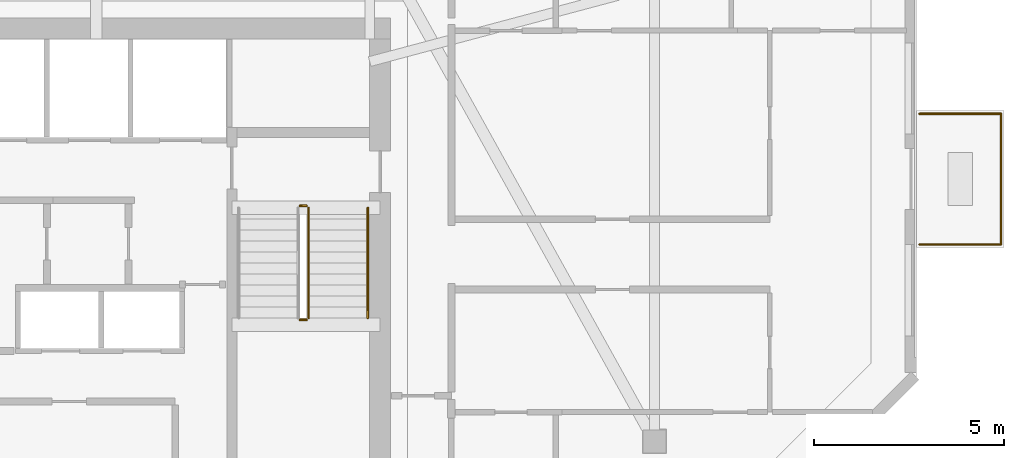
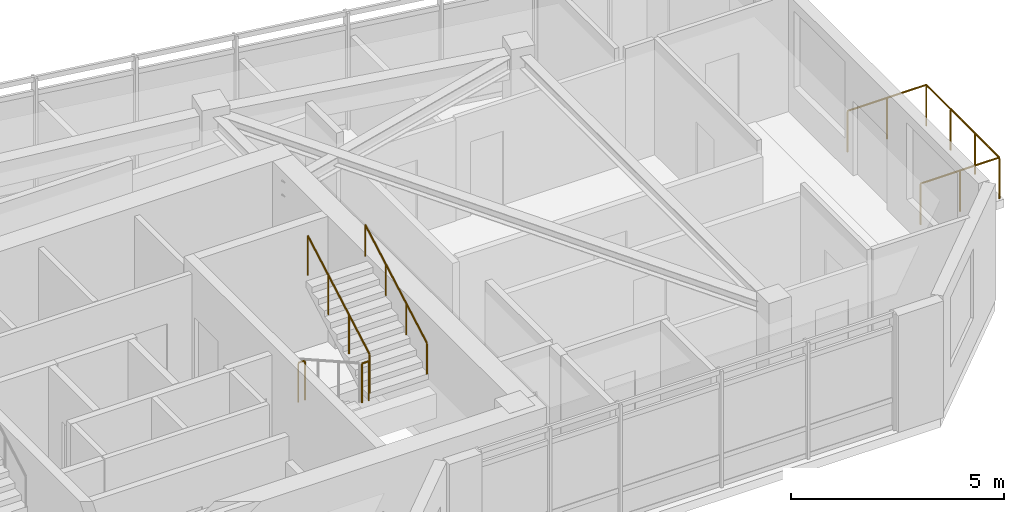
# One storey, part 10 of 10: 7 railings.
"""IFC4 building model written with IfcOpenShell, lengths in metres."""

from ifc_helpers import new_model, si_unit, direction, frame, origin, origin_2d, place, context, subcontext, project, spatial, circle, extrude, material, type_object, element, save


model = new_model("IFC4")

# Units and contexts
model_context = context("Model", 3, precision=1e-05, world=origin(), true_north=direction((0.0, 1.0)))
body_context = subcontext(model_context, "Body", "Model", "MODEL_VIEW")
ifc_project = project(units=[si_unit("LENGTHUNIT", "METRE"), si_unit("AREAUNIT", "SQUARE_METRE"), si_unit("VOLUMEUNIT", "CUBIC_METRE"), si_unit("PLANEANGLEUNIT", "RADIAN"), si_unit("MASSUNIT", "GRAM", prefix="KILO")], contexts=[model_context])

# Site, building, storey
site_placement = place(None, origin())
site = spatial("IfcSite", under=ifc_project, at=site_placement, CompositionType="ELEMENT")
building_placement = place(site_placement, origin())
building = spatial("IfcBuilding", under=site, at=building_placement, Name="Calvemar Wedge Station Tower", CompositionType="ELEMENT")
storey_placement = place(building_placement, frame((0.0, 0.0, 267.300048828125)))
storey = spatial("IfcBuildingStorey", under=building, at=storey_placement, Name="L68", CompositionType="ELEMENT", Elevation=267.300048828125)

# Railings
ifc_material_1 = material(Name="Stainless steel AISI 316L", Category="steel")
railing_type_1 = type_object("IfcRailingType", Name="GRD-TERR-1200", PredefinedType="GUARDRAIL", material=ifc_material_1)
railing_1_placement = place(storey_placement, frame((45.47998046875, 43.6259765625, 0.0)))
element("IfcRailing", 1, at=railing_1_placement, inside=storey, type_object=railing_type_1, Name="Storey L68 Spiral Terrace Guard 2", PredefinedType="GUARDRAIL", context=body_context, shape_type="SweptSolid", body=[
    extrude(circle(Radius=0.02392578125, at=origin_2d()), frame((0.0, 0.0, 1.17578125), z_axis=(1.0, 0.0, 0.0), x_axis=(0.0, 1.0, 0.0)), (0.0, 0.0, 1.0), 2.14013671875),
    extrude(circle(Radius=0.02099609375, at=origin_2d()), origin(), (0.0, 0.0, 1.0), 1.15185546875),
    extrude(circle(Radius=0.02099609375, at=origin_2d()), frame((1.070068359375, 0.0, 0.0)), (0.0, 0.0, 1.0), 1.15185546875),
    extrude(circle(Radius=0.02099609375, at=origin_2d()), frame((2.14013671875, 0.0, 0.0)), (0.0, 0.0, 1.0), 1.15185546875),
])
railing_2_placement = place(storey_placement, frame((47.6201171875, 43.6259765625, 0.0)))
element("IfcRailing", 2, at=railing_2_placement, inside=storey, type_object=railing_type_1, Name="Storey L68 Spiral Terrace Guard 3", PredefinedType="GUARDRAIL", context=body_context, shape_type="SweptSolid", body=[
    extrude(circle(Radius=0.02392578125, at=origin_2d()), frame((0.0, 0.0, 1.17578125), z_axis=(0.0, -1.0, 0.0), x_axis=(1.0, 0.0, 0.0)), (0.0, 0.0, 1.0), 3.43994140625),
    extrude(circle(Radius=0.02099609375, at=origin_2d()), origin(), (0.0, 0.0, 1.0), 1.15185546875),
    extrude(circle(Radius=0.02099609375, at=origin_2d()), frame((0.0, -1.146728515625, 0.0)), (0.0, 0.0, 1.0), 1.15185546875),
    extrude(circle(Radius=0.02099609375, at=origin_2d()), frame((0.0, -2.293212890625, 0.0)), (0.0, 0.0, 1.0), 1.15185546875),
    extrude(circle(Radius=0.02099609375, at=origin_2d()), frame((0.0, -3.43994140625, 0.0)), (0.0, 0.0, 1.0), 1.15185546875),
])
railing_3_placement = place(storey_placement, frame((47.6201171875, 40.18603515625, 0.0)))
element("IfcRailing", 3, at=railing_3_placement, inside=storey, type_object=railing_type_1, Name="Storey L68 Spiral Terrace Guard 4", PredefinedType="GUARDRAIL", context=body_context, shape_type="SweptSolid", body=[
    extrude(circle(Radius=0.02392578125, at=origin_2d()), frame((0.0, 0.0, 1.17578125), z_axis=(-1.0, 0.0, 0.0), x_axis=(0.0, -1.0, 0.0)), (0.0, 0.0, 1.0), 2.14013671875),
    extrude(circle(Radius=0.02099609375, at=origin_2d()), origin(), (0.0, 0.0, 1.0), 1.15185546875),
    extrude(circle(Radius=0.02099609375, at=origin_2d()), frame((-1.070068359375, 0.0, 0.0)), (0.0, 0.0, 1.0), 1.15185546875),
    extrude(circle(Radius=0.02099609375, at=origin_2d()), frame((-2.14013671875, 0.0, 0.0)), (0.0, 0.0, 1.0), 1.15185546875),
])
railing_type_2 = type_object("IfcRailingType", Name="RL-HANDRAIL-920", PredefinedType="HANDRAIL", material=ifc_material_1)
railing_4_placement = place(storey_placement, frame((30.949951171875, 38.25, 1.963623046875)))
element("IfcRailing", 4, at=railing_4_placement, inside=storey, type_object=railing_type_2, Name="L68 ST-C2 stair handrail 2", PredefinedType="HANDRAIL", context=body_context, shape_type="SweptSolid", body=[
    extrude(circle(Radius=0.02392578125, at=origin_2d()), frame((0.0, 0.0, 0.89599609375), z_axis=(0.0, 0.870928581787, 0.491409610636), x_axis=(-1.0, 0.0, 0.0)), (0.0, 0.0, 1.0), 3.32958984375),
    extrude(circle(Radius=0.02099609375, at=origin_2d()), origin(), (0.0, 0.0, 1.0), 0.871826171875),
    extrude(circle(Radius=0.02099609375, at=origin_2d()), frame((0.0, 0.966552734375, 0.54541015625)), (0.0, 0.0, 1.0), 0.871826171875),
    extrude(circle(Radius=0.02099609375, at=origin_2d()), frame((0.0, 1.933349609375, 1.0908203125)), (0.0, 0.0, 1.0), 0.871826171875),
    extrude(circle(Radius=0.02099609375, at=origin_2d()), frame((0.0, 2.89990234375, 1.63623046875)), (0.0, 0.0, 1.0), 0.871826171875),
])
ifc_material_2 = material(Name="Painted steel guardrail ASTM A500 Grade C", Category="steel")
railing_type_3 = type_object("IfcRailingType", Name="RL-STAIR-GUARD-1150", PredefinedType="GUARDRAIL", material=ifc_material_2)
railing_5_placement = place(storey_placement, frame((29.159912109375, 38.199951171875, 1.800048828125)))
element("IfcRailing", 5, at=railing_5_placement, inside=storey, type_object=railing_type_3, Name="L68 ST-C2 stair guard 2", PredefinedType="GUARDRAIL", context=body_context, shape_type="SweptSolid", body=[
    extrude(circle(Radius=0.02392578125, at=origin_2d()), frame((0.0, 0.0, 1.1259765625), z_axis=(1.0, 0.0, 0.0), x_axis=(0.0, 1.0, 0.0)), (0.0, 0.0, 1.0), 0.18017578125),
    extrude(circle(Radius=0.02099609375, at=origin_2d()), origin(), (0.0, 0.0, 1.0), 1.101806640625),
    extrude(circle(Radius=0.02099609375, at=origin_2d()), frame((0.18017578125, 0.0, 0.0)), (0.0, 0.0, 1.0), 1.101806640625),
])
railing_6_placement = place(storey_placement, frame((29.389892578125, 38.25, 1.963623046875)))
element("IfcRailing", 6, at=railing_6_placement, inside=storey, type_object=railing_type_3, Name="L68 ST-C2 stair guard 3", PredefinedType="GUARDRAIL", context=body_context, shape_type="SweptSolid", body=[
    extrude(circle(Radius=0.02392578125, at=origin_2d()), frame((0.0, 0.0, 1.1259765625), z_axis=(0.0, 0.870928581787, 0.491409610636), x_axis=(-1.0, 0.0, 0.0)), (0.0, 0.0, 1.0), 3.32958984375),
    extrude(circle(Radius=0.02099609375, at=origin_2d()), origin(), (0.0, 0.0, 1.0), 1.101806640625),
    extrude(circle(Radius=0.02099609375, at=origin_2d()), frame((0.0, 0.966552734375, 0.54541015625)), (0.0, 0.0, 1.0), 1.101806640625),
    extrude(circle(Radius=0.02099609375, at=origin_2d()), frame((0.0, 1.933349609375, 1.0908203125)), (0.0, 0.0, 1.0), 1.101806640625),
    extrude(circle(Radius=0.02099609375, at=origin_2d()), frame((0.0, 2.89990234375, 1.63623046875)), (0.0, 0.0, 1.0), 1.101806640625),
])
railing_7_placement = place(storey_placement, frame((29.159912109375, 41.199951171875, 0.0)))
element("IfcRailing", 7, at=railing_7_placement, inside=storey, type_object=railing_type_3, Name="L68 ST-C2 stair guard 4", PredefinedType="GUARDRAIL", context=body_context, shape_type="SweptSolid", body=[
    extrude(circle(Radius=0.02392578125, at=origin_2d()), frame((0.0, 0.0, 1.1259765625), z_axis=(1.0, 0.0, 0.0), x_axis=(0.0, 1.0, 0.0)), (0.0, 0.0, 1.0), 0.18017578125),
    extrude(circle(Radius=0.02099609375, at=origin_2d()), origin(), (0.0, 0.0, 1.0), 1.101806640625),
    extrude(circle(Radius=0.02099609375, at=origin_2d()), frame((0.18017578125, 0.0, 0.0)), (0.0, 0.0, 1.0), 1.101806640625),
])

save(model, "model.ifc")
